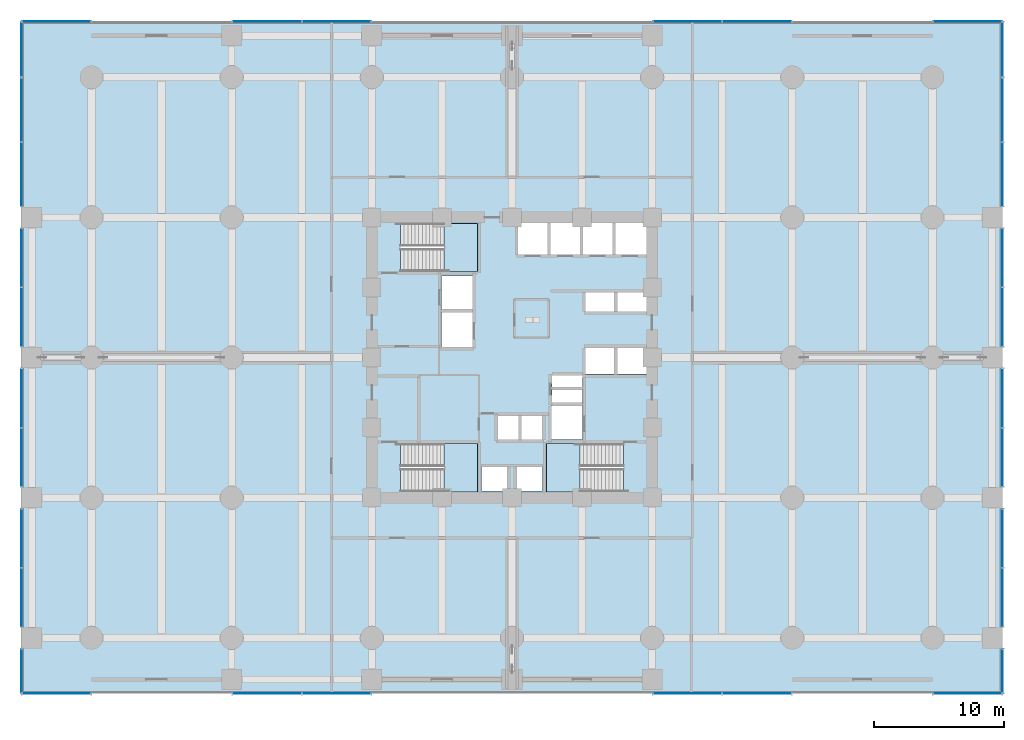
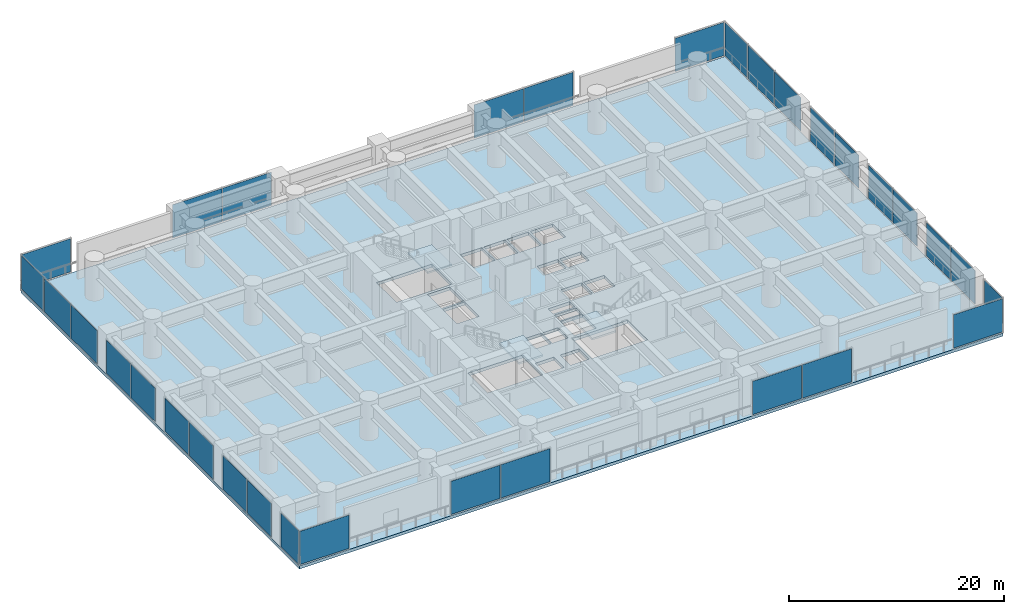
# One storey, part 26 of 37: 32 plates, 4 slabs, 23 elements without a shape of their own.
"""IFC4 building model written with IfcOpenShell, lengths in metres."""

import ifcopenshell
import ifcopenshell.guid

model = None  # the IFC model being written
_history = None  # IfcOwnerHistory: only IFC2X3 demands one
_inside = {}  # id of a spatial element -> (the spatial element, [elements in it])
_under = {}  # id of a project, library or spatial element -> (it, [spatial elements below it])
_declared = {}  # id of a project -> (the project, [libraries it declares])
_typed = {}  # id of a type object -> (the type object, [elements of that type])
_made_of = {}  # id of a material, layer set ... -> (it, [elements and type objects made of it])


def new_model(schema):
    """Start an empty IFC model of exactly this schema.

    Asked for "IFC4X3", IfcOpenShell would pick the latest addendum, in which some entities
    have other attributes; the version numbers below select the first issue.
    IFC2X3 requires an IfcOwnerHistory on every rooted entity: one is made here for all.
    """
    global model, _history
    if schema == "IFC4X3":
        model = ifcopenshell.file(schema_version=(4, 3, 0, 0))
    else:
        model = ifcopenshell.file(schema=schema)
    _inside.clear()
    _under.clear()
    _declared.clear()
    _typed.clear()
    _made_of.clear()
    _history = None
    if model.schema == "IFC2X3":
        org = make("IfcOrganization", Name="unknown")
        user = make(
            "IfcPersonAndOrganization",
            ThePerson=make("IfcPerson", FamilyName="unknown"),
            TheOrganization=org,
        )
        app = make(
            "IfcApplication",
            ApplicationDeveloper=org,
            Version="unknown",
            ApplicationFullName="unknown",
            ApplicationIdentifier="unknown",
        )
        _history = make(
            "IfcOwnerHistory",
            OwningUser=user,
            OwningApplication=app,
            ChangeAction="ADDED",
            CreationDate=0,
        )
    return model


def make(cls, **values):
    """One entity of the class cls with the attributes given. An attribute that is None is left unset."""
    return model.create_entity(
        cls, **{name: value for name, value in values.items() if value is not None}
    )


def rooted(cls, **values):
    """An entity with a GlobalId (a new one), such as an element, a storey or a relation."""
    return make(cls, GlobalId=ifcopenshell.guid.new(), OwnerHistory=_history, **values)


def si_unit(unit_type, name, prefix=None):
    """IfcSIUnit, for example si_unit("LENGTHUNIT", "METRE", prefix="MILLI")."""
    return make("IfcSIUnit", UnitType=unit_type, Prefix=prefix, Name=name)


def assignment(units):
    """IfcUnitAssignment: the units of a project."""
    return None if units is None else make("IfcUnitAssignment", Units=units)


def point(xyz):
    """IfcCartesianPoint."""
    return None if xyz is None else make("IfcCartesianPoint", Coordinates=xyz)


def direction(xyz):
    """IfcDirection."""
    return None if xyz is None else make("IfcDirection", DirectionRatios=xyz)


def frame(location, z_axis=None, x_axis=None):
    """IfcAxis2Placement3D, a coordinate frame: its origin and axes. An axis left out is left unset."""
    return make(
        "IfcAxis2Placement3D",
        Location=point(location),
        Axis=direction(z_axis),
        RefDirection=direction(x_axis),
    )


def frame_2d(location, x_axis=None):
    """IfcAxis2Placement2D, a coordinate frame in the plane: its origin and x axis."""
    return make(
        "IfcAxis2Placement2D", Location=point(location), RefDirection=direction(x_axis)
    )


def origin():
    """The frame at (0, 0, 0) with its axes left unset."""
    return frame((0.0, 0.0, 0.0))


def place(relative_to, where):
    """IfcLocalPlacement: puts the frame where relative to a parent placement (None: the world)."""
    return make(
        "IfcLocalPlacement", PlacementRelTo=relative_to, RelativePlacement=where
    )


def context(
    kind, dimensions, precision=None, world=None, true_north=None, identifier=None
):
    """IfcGeometricRepresentationContext, for example the 3D "Model" context."""
    return make(
        "IfcGeometricRepresentationContext",
        ContextIdentifier=identifier,
        ContextType=kind,
        CoordinateSpaceDimension=dimensions,
        Precision=precision,
        WorldCoordinateSystem=world,
        TrueNorth=true_north,
    )


def subcontext(parent, identifier, kind, view, scale=None):
    """IfcGeometricRepresentationSubContext, for example "Body" below "Model"."""
    return make(
        "IfcGeometricRepresentationSubContext",
        ContextIdentifier=identifier,
        ContextType=kind,
        ParentContext=parent,
        TargetScale=scale,
        TargetView=view,
    )


def project(units=None, contexts=None):
    """IfcProject with its units and contexts."""
    return rooted(
        "IfcProject",
        Name="project",
        RepresentationContexts=contexts,
        UnitsInContext=assignment(units),
    )


def spatial(cls, under=None, at=None, **own):
    """A site, building, storey or space (cls), placed at a placement, below another one or the project."""
    s = rooted(cls, ObjectPlacement=at, **own)
    if under is not None:
        _under.setdefault(under.id(), (under, []))[1].append(s)
    return s


def polyline(points):
    """IfcPolyline through the points."""
    return make("IfcPolyline", Points=[point(p) for p in points])


def profile(cls, at=None, kind="AREA", **sizes):
    """A parametric profile (cls). Its sizes go by their IFC names, for example OverallWidth=200.0."""
    return make(cls, ProfileType=kind, Position=at, **sizes)


def rectangle(**sizes):
    """IfcRectangleProfileDef."""
    return profile("IfcRectangleProfileDef", **sizes)


def outline(outer, holes=None, kind="AREA"):
    """IfcArbitraryClosedProfileDef: a profile drawn as a closed curve; with holes, ...WithVoids."""
    if holes is None:
        return make("IfcArbitraryClosedProfileDef", ProfileType=kind, OuterCurve=outer)
    return make(
        "IfcArbitraryProfileDefWithVoids",
        ProfileType=kind,
        OuterCurve=outer,
        InnerCurves=holes,
    )


def extrude(swept, where, along, depth):
    """IfcExtrudedAreaSolid: the profile swept, set in the frame where, extruded along a direction by depth."""
    return make(
        "IfcExtrudedAreaSolid",
        SweptArea=swept,
        Position=where,
        ExtrudedDirection=direction(along),
        Depth=depth,
    )


def shape(context_of_items, identifier, shape_type, items):
    """IfcShapeRepresentation: the items that make up one representation, for example the "Body"."""
    return make(
        "IfcShapeRepresentation",
        ContextOfItems=context_of_items,
        RepresentationIdentifier=identifier,
        RepresentationType=shape_type,
        Items=items,
    )


def material(Name=None, Category=None):
    """IfcMaterial."""
    return make("IfcMaterial", Name=Name, Category=Category)


def layer(
    of_material, thickness, ventilated=None, Name=None, Category=None, Priority=None
):
    """IfcMaterialLayer: one layer of a wall or slab, of a material (None: an air gap)."""
    return make(
        "IfcMaterialLayer",
        Material=of_material,
        LayerThickness=thickness,
        IsVentilated=ventilated,
        Name=Name,
        Category=Category,
        Priority=Priority,
    )


def layer_set(layers, Name=None):
    """IfcMaterialLayerSet."""
    return make("IfcMaterialLayerSet", MaterialLayers=layers, LayerSetName=Name)


def made_of(thing, what):
    """Note that an element or type object is made of a material, layer set ...; save() writes the relation."""
    if what is not None:
        _made_of.setdefault(what.id(), (what, []))[1].append(thing)
    return thing


def type_object(cls, material=None, **own):
    """A type object (cls), such as IfcWallType, which elements share."""
    return made_of(rooted(cls, **own), material)


def element(
    cls,
    number,
    at=None,
    inside=None,
    cuts=None,
    type_object=None,
    material=None,
    context=None,
    identifier="Body",
    shape_type=None,
    held_by="IfcProductDefinitionShape",
    body=None,
    shapes=None,
    **own,
):
    """One element of the class cls, such as IfcWall. Its Tag is "e" and its number.

    at: its placement. inside: the storey or other place that contains it. cuts: it is an
    opening in that element (IfcRelVoidsElement). A single representation is given by context,
    identifier, shape_type and body (its items); several are given by shapes. held_by: the class
    of the entity that holds the representations. save() writes the other relations.
    """
    e = rooted(cls, Tag="e%d" % number, ObjectPlacement=at, **own)
    if body is not None:
        shapes = [shape(context, identifier, shape_type, body)]
    if shapes is not None:
        e.Representation = make(held_by, Representations=shapes)
    if inside is not None:
        _inside.setdefault(inside.id(), (inside, []))[1].append(e)
    if cuts is not None:
        rooted(
            "IfcRelVoidsElement", RelatingBuildingElement=cuts, RelatedOpeningElement=e
        )
    if type_object is not None:
        _typed.setdefault(type_object.id(), (type_object, []))[1].append(e)
    return made_of(e, material)


def aggregate(whole, parts):
    """IfcRelAggregates: a whole, such as a stair, and the parts it consists of."""
    return rooted("IfcRelAggregates", RelatingObject=whole, RelatedObjects=parts)


def save(model, path):
    """Write the relations noted so far, then the file.

    IfcRelAggregates (storeys below a building ...), IfcRelContainedInSpatialStructure (elements
    in a storey), IfcRelDefinesByType, IfcRelAssociatesMaterial and IfcRelDeclares: one each for
    every whole, place, type object, material and project.
    """
    for whole, parts in _under.values():
        aggregate(whole, parts)
    for where, things in _inside.values():
        rooted(
            "IfcRelContainedInSpatialStructure",
            RelatedElements=things,
            RelatingStructure=where,
        )
    for kind, things in _typed.values():
        rooted("IfcRelDefinesByType", RelatedObjects=things, RelatingType=kind)
    for what, things in _made_of.values():
        rooted("IfcRelAssociatesMaterial", RelatedObjects=things, RelatingMaterial=what)
    for by, libraries in _declared.values():
        rooted("IfcRelDeclares", RelatingContext=by, RelatedDefinitions=libraries)
    model.write(path)


model = new_model("IFC4")

# Units and contexts
model_context = context("Model", 3, precision=1e-05, world=origin(), true_north=direction((0.0, 1.0)))
body_context = subcontext(model_context, "Body", "Model", "MODEL_VIEW")
ifc_project = project(units=[si_unit("LENGTHUNIT", "METRE"), si_unit("AREAUNIT", "SQUARE_METRE"), si_unit("VOLUMEUNIT", "CUBIC_METRE"), si_unit("PLANEANGLEUNIT", "RADIAN"), si_unit("MASSUNIT", "GRAM", prefix="KILO")], contexts=[model_context])

# Site, building, storey
site_placement = place(None, origin())
site = spatial("IfcSite", under=ifc_project, at=site_placement, CompositionType="ELEMENT")
building_placement = place(site_placement, origin())
building = spatial("IfcBuilding", under=site, at=building_placement, Name="Surkhivell Harbour Commons", CompositionType="ELEMENT")
storey_placement = place(building_placement, frame((0.0, 0.0, 18.0)))
storey = spatial("IfcBuildingStorey", under=building, at=storey_placement, Name="L04", CompositionType="ELEMENT", Elevation=18.0)

# Curtain wall, plate
ifc_material_1 = material(Name="Anodised pale-metal aluminium and insulated glazing", Category="aluminium")
ifc_layer_1 = layer(ifc_material_1, 0.239990234375)
ifc_layer_set_1 = layer_set([ifc_layer_1], Name="Anodised pale-metal aluminium and insulated glazing")
curtain_wall_type = type_object("IfcCurtainWallType", Name="CW-SYS-POD", PredefinedType="NOTDEFINED", material=ifc_layer_set_1)
curtain_wall_1_placement = place(storey_placement, origin())
curtain_wall_1 = element("IfcCurtainWall", 1, at=curtain_wall_1_placement, inside=storey, type_object=curtain_wall_type, Name="L04 Curtain Wall CW-L04-N1", PredefinedType="NOTDEFINED")
ifc_material_2 = material(Name="Double-silver low-E laminated vision glass", Category="glass")
ifc_layer_2 = layer(ifc_material_2, 0.031982421875)
ifc_layer_set_2 = layer_set([ifc_layer_2], Name="Double-silver low-E laminated vision glass")
plate_type = type_object("IfcPlateType", Name="CWP-GLZ-32", PredefinedType="CURTAIN_PANEL", material=ifc_layer_set_2)
plate_1_placement = place(storey_placement, frame((-37.72509765625, 25.89990234375, 0.14990234375), z_axis=(0.0, 0.0, 1.0), x_axis=(1.0, 0.0, 0.0)))
plate_1 = element("IfcPlate", 2, at=plate_1_placement, type_object=plate_type, Name="CW-POD panel 1.1", PredefinedType="CURTAIN_PANEL", context=body_context, shape_type="SweptSolid", body=[
    extrude(rectangle(XDim=5.25, YDim=0.031982421875, at=frame_2d((2.625, 0.0))), origin(), (0.0, 0.0, 1.0), 3.780029296875),
])
aggregate(curtain_wall_1, [plate_1])

curtain_wall_2_placement = place(storey_placement, origin())
curtain_wall_2 = element("IfcCurtainWall", 3, at=curtain_wall_2_placement, inside=storey, type_object=curtain_wall_type, Name="L04 Curtain Wall CW-L04-S1", PredefinedType="NOTDEFINED")
plate_2_placement = place(storey_placement, frame((-32.47509765625, -25.89990234375, 0.14990234375), z_axis=(0.0, 0.0, 1.0), x_axis=(-1.0, 0.0, 0.0)))
plate_2 = element("IfcPlate", 4, at=plate_2_placement, type_object=plate_type, Name="CW-POD panel 1.1", PredefinedType="CURTAIN_PANEL", context=body_context, shape_type="SweptSolid", body=[
    extrude(rectangle(XDim=5.25, YDim=0.031982421875, at=frame_2d((2.625, 0.0))), origin(), (0.0, 0.0, 1.0), 3.780029296875),
])
aggregate(curtain_wall_2, [plate_2])

# Curtain wall, plates
curtain_wall_3_placement = place(storey_placement, origin())
curtain_wall_3 = element("IfcCurtainWall", 5, at=curtain_wall_3_placement, inside=storey, type_object=curtain_wall_type, Name="L04 Curtain Wall CW-L04-N3", PredefinedType="NOTDEFINED")
plate_3_placement = place(storey_placement, frame((-21.52490234375, 25.89990234375, 0.14990234375), z_axis=(0.0, 0.0, 1.0), x_axis=(1.0, 0.0, 0.0)))
plate_3 = element("IfcPlate", 6, at=plate_3_placement, type_object=plate_type, Name="CW-POD panel 1.1", PredefinedType="CURTAIN_PANEL", context=body_context, shape_type="SweptSolid", body=[
    extrude(rectangle(XDim=5.287353515625, YDim=0.031982421875, at=frame_2d((2.6435546875, 0.0))), origin(), (0.0, 0.0, 1.0), 3.780029296875),
])
plate_4_placement = place(storey_placement, frame((-16.16259765625, 25.89990234375, 0.14990234375), z_axis=(0.0, 0.0, 1.0), x_axis=(1.0, 0.0, 0.0)))
plate_4 = element("IfcPlate", 7, at=plate_4_placement, type_object=plate_type, Name="CW-POD panel 2.1", PredefinedType="CURTAIN_PANEL", context=body_context, shape_type="SweptSolid", body=[
    extrude(rectangle(XDim=5.28759765625, YDim=0.031982421875, at=frame_2d((2.643798828125, 0.0))), origin(), (0.0, 0.0, 1.0), 3.780029296875),
])
aggregate(curtain_wall_3, [plate_3, plate_4])

curtain_wall_4_placement = place(storey_placement, origin())
curtain_wall_4 = element("IfcCurtainWall", 8, at=curtain_wall_4_placement, inside=storey, type_object=curtain_wall_type, Name="L04 Curtain Wall CW-L04-S3", PredefinedType="NOTDEFINED")
plate_5_placement = place(storey_placement, frame((-10.875, -25.89990234375, 0.14990234375), z_axis=(0.0, 0.0, 1.0), x_axis=(-1.0, 0.0, 0.0)))
plate_5 = element("IfcPlate", 9, at=plate_5_placement, type_object=plate_type, Name="CW-POD panel 1.1", PredefinedType="CURTAIN_PANEL", context=body_context, shape_type="SweptSolid", body=[
    extrude(rectangle(XDim=5.28759765625, YDim=0.031982421875, at=frame_2d((2.643798828125, 0.0))), origin(), (0.0, 0.0, 1.0), 3.780029296875),
])
plate_6_placement = place(storey_placement, frame((-16.237548828125, -25.89990234375, 0.14990234375), z_axis=(0.0, 0.0, 1.0), x_axis=(-1.0, 0.0, 0.0)))
plate_6 = element("IfcPlate", 10, at=plate_6_placement, type_object=plate_type, Name="CW-POD panel 2.1", PredefinedType="CURTAIN_PANEL", context=body_context, shape_type="SweptSolid", body=[
    extrude(rectangle(XDim=5.287353515625, YDim=0.031982421875, at=frame_2d((2.6435546875, 0.0))), origin(), (0.0, 0.0, 1.0), 3.780029296875),
])
aggregate(curtain_wall_4, [plate_5, plate_6])

curtain_wall_5_placement = place(storey_placement, origin())
curtain_wall_5 = element("IfcCurtainWall", 11, at=curtain_wall_5_placement, inside=storey, type_object=curtain_wall_type, Name="L04 Curtain Wall CW-L04-N6", PredefinedType="NOTDEFINED")
plate_7_placement = place(storey_placement, frame((10.875, 25.89990234375, 0.14990234375), z_axis=(0.0, 0.0, 1.0), x_axis=(1.0, 0.0, 0.0)))
plate_7 = element("IfcPlate", 12, at=plate_7_placement, type_object=plate_type, Name="CW-POD panel 1.1", PredefinedType="CURTAIN_PANEL", context=body_context, shape_type="SweptSolid", body=[
    extrude(rectangle(XDim=5.28759765625, YDim=0.031982421875, at=frame_2d((2.643798828125, 0.0))), origin(), (0.0, 0.0, 1.0), 3.780029296875),
])
plate_8_placement = place(storey_placement, frame((16.237548828125, 25.89990234375, 0.14990234375), z_axis=(0.0, 0.0, 1.0), x_axis=(1.0, 0.0, 0.0)))
plate_8 = element("IfcPlate", 13, at=plate_8_placement, type_object=plate_type, Name="CW-POD panel 2.1", PredefinedType="CURTAIN_PANEL", context=body_context, shape_type="SweptSolid", body=[
    extrude(rectangle(XDim=5.287353515625, YDim=0.031982421875, at=frame_2d((2.6435546875, 0.0))), origin(), (0.0, 0.0, 1.0), 3.780029296875),
])
aggregate(curtain_wall_5, [plate_7, plate_8])

curtain_wall_6_placement = place(storey_placement, origin())
curtain_wall_6 = element("IfcCurtainWall", 14, at=curtain_wall_6_placement, inside=storey, type_object=curtain_wall_type, Name="L04 Curtain Wall CW-L04-S6", PredefinedType="NOTDEFINED")
plate_9_placement = place(storey_placement, frame((21.52490234375, -25.89990234375, 0.14990234375), z_axis=(0.0, 0.0, 1.0), x_axis=(-1.0, 0.0, 0.0)))
plate_9 = element("IfcPlate", 15, at=plate_9_placement, type_object=plate_type, Name="CW-POD panel 1.1", PredefinedType="CURTAIN_PANEL", context=body_context, shape_type="SweptSolid", body=[
    extrude(rectangle(XDim=5.287353515625, YDim=0.031982421875, at=frame_2d((2.6435546875, 0.0))), origin(), (0.0, 0.0, 1.0), 3.780029296875),
])
plate_10_placement = place(storey_placement, frame((16.16259765625, -25.89990234375, 0.14990234375), z_axis=(0.0, 0.0, 1.0), x_axis=(-1.0, 0.0, 0.0)))
plate_10 = element("IfcPlate", 16, at=plate_10_placement, type_object=plate_type, Name="CW-POD panel 2.1", PredefinedType="CURTAIN_PANEL", context=body_context, shape_type="SweptSolid", body=[
    extrude(rectangle(XDim=5.28759765625, YDim=0.031982421875, at=frame_2d((2.643798828125, 0.0))), origin(), (0.0, 0.0, 1.0), 3.780029296875),
])
aggregate(curtain_wall_6, [plate_9, plate_10])

# Curtain wall, plate
curtain_wall_7_placement = place(storey_placement, origin())
curtain_wall_7 = element("IfcCurtainWall", 17, at=curtain_wall_7_placement, inside=storey, type_object=curtain_wall_type, Name="L04 Curtain Wall CW-L04-N8", PredefinedType="NOTDEFINED")
plate_11_placement = place(storey_placement, frame((32.47509765625, 25.89990234375, 0.14990234375), z_axis=(0.0, 0.0, 1.0), x_axis=(1.0, 0.0, 0.0)))
plate_11 = element("IfcPlate", 18, at=plate_11_placement, type_object=plate_type, Name="CW-POD panel 1.1", PredefinedType="CURTAIN_PANEL", context=body_context, shape_type="SweptSolid", body=[
    extrude(rectangle(XDim=5.25, YDim=0.031982421875, at=frame_2d((2.625, 0.0))), origin(), (0.0, 0.0, 1.0), 3.780029296875),
])
aggregate(curtain_wall_7, [plate_11])

curtain_wall_8_placement = place(storey_placement, origin())
curtain_wall_8 = element("IfcCurtainWall", 19, at=curtain_wall_8_placement, inside=storey, type_object=curtain_wall_type, Name="L04 Curtain Wall CW-L04-S8", PredefinedType="NOTDEFINED")
plate_12_placement = place(storey_placement, frame((37.72509765625, -25.89990234375, 0.14990234375), z_axis=(0.0, 0.0, 1.0), x_axis=(-1.0, 0.0, 0.0)))
plate_12 = element("IfcPlate", 20, at=plate_12_placement, type_object=plate_type, Name="CW-POD panel 1.1", PredefinedType="CURTAIN_PANEL", context=body_context, shape_type="SweptSolid", body=[
    extrude(rectangle(XDim=5.25, YDim=0.031982421875, at=frame_2d((2.625, 0.0))), origin(), (0.0, 0.0, 1.0), 3.780029296875),
])
aggregate(curtain_wall_8, [plate_12])

curtain_wall_9_placement = place(storey_placement, origin())
curtain_wall_9 = element("IfcCurtainWall", 21, at=curtain_wall_9_placement, inside=storey, type_object=curtain_wall_type, Name="L04 Curtain Wall CW-L04-W1", PredefinedType="NOTDEFINED")
plate_13_placement = place(storey_placement, frame((-37.800048828125, -25.824951171875, 0.14990234375), z_axis=(0.0, 0.0, 1.0), x_axis=(0.0, 1.0, 0.0)))
plate_13 = element("IfcPlate", 22, at=plate_13_placement, type_object=plate_type, Name="CW-POD panel 1.1", PredefinedType="CURTAIN_PANEL", context=body_context, shape_type="SweptSolid", body=[
    extrude(rectangle(XDim=3.347900390625, YDim=0.031982421875, at=frame_2d((1.673828125, 0.0))), origin(), (0.0, 0.0, 1.0), 3.780029296875),
])
aggregate(curtain_wall_9, [plate_13])

curtain_wall_10_placement = place(storey_placement, origin())
curtain_wall_10 = element("IfcCurtainWall", 23, at=curtain_wall_10_placement, inside=storey, type_object=curtain_wall_type, Name="L04 Curtain Wall CW-L04-E1", PredefinedType="NOTDEFINED")
plate_14_placement = place(storey_placement, frame((37.800048828125, -22.47705078125, 0.14990234375), z_axis=(0.0, 0.0, 1.0), x_axis=(0.0, -1.0, 0.0)))
plate_14 = element("IfcPlate", 24, at=plate_14_placement, type_object=plate_type, Name="CW-POD panel 1.1", PredefinedType="CURTAIN_PANEL", context=body_context, shape_type="SweptSolid", body=[
    extrude(rectangle(XDim=3.347900390625, YDim=0.031982421875, at=frame_2d((1.673828125, 0.0))), origin(), (0.0, 0.0, 1.0), 3.780029296875),
])
aggregate(curtain_wall_10, [plate_14])

# Curtain wall, plates
curtain_wall_11_placement = place(storey_placement, origin())
curtain_wall_11 = element("IfcCurtainWall", 25, at=curtain_wall_11_placement, inside=storey, type_object=curtain_wall_type, Name="L04 Curtain Wall CW-L04-W2", PredefinedType="NOTDEFINED")
plate_15_placement = place(storey_placement, frame((-37.800048828125, -20.722900390625, 0.14990234375), z_axis=(0.0, 0.0, 1.0), x_axis=(0.0, 1.0, 0.0)))
plate_15 = element("IfcPlate", 26, at=plate_15_placement, type_object=plate_type, Name="CW-POD panel 1.1", PredefinedType="CURTAIN_PANEL", context=body_context, shape_type="SweptSolid", body=[
    extrude(rectangle(XDim=4.4853515625, YDim=0.031982421875, at=frame_2d((2.24267578125, 0.0))), origin(), (0.0, 0.0, 1.0), 3.780029296875),
])
plate_16_placement = place(storey_placement, frame((-37.800048828125, -16.16259765625, 0.14990234375), z_axis=(0.0, 0.0, 1.0), x_axis=(0.0, 1.0, 0.0)))
plate_16 = element("IfcPlate", 27, at=plate_16_placement, type_object=plate_type, Name="CW-POD panel 2.1", PredefinedType="CURTAIN_PANEL", context=body_context, shape_type="SweptSolid", body=[
    extrude(rectangle(XDim=4.485595703125, YDim=0.031982421875, at=frame_2d((2.24267578125, 0.0))), origin(), (0.0, 0.0, 1.0), 3.780029296875),
])
aggregate(curtain_wall_11, [plate_15, plate_16])

curtain_wall_12_placement = place(storey_placement, origin())
curtain_wall_12 = element("IfcCurtainWall", 28, at=curtain_wall_12_placement, inside=storey, type_object=curtain_wall_type, Name="L04 Curtain Wall CW-L04-E2", PredefinedType="NOTDEFINED")
plate_17_placement = place(storey_placement, frame((37.800048828125, -11.677001953125, 0.14990234375), z_axis=(0.0, 0.0, 1.0), x_axis=(0.0, -1.0, 0.0)))
plate_17 = element("IfcPlate", 29, at=plate_17_placement, type_object=plate_type, Name="CW-POD panel 1.1", PredefinedType="CURTAIN_PANEL", context=body_context, shape_type="SweptSolid", body=[
    extrude(rectangle(XDim=4.485595703125, YDim=0.031982421875, at=frame_2d((2.24267578125, 0.0))), origin(), (0.0, 0.0, 1.0), 3.780029296875),
])
plate_18_placement = place(storey_placement, frame((37.800048828125, -16.237548828125, 0.14990234375), z_axis=(0.0, 0.0, 1.0), x_axis=(0.0, -1.0, 0.0)))
plate_18 = element("IfcPlate", 30, at=plate_18_placement, type_object=plate_type, Name="CW-POD panel 2.1", PredefinedType="CURTAIN_PANEL", context=body_context, shape_type="SweptSolid", body=[
    extrude(rectangle(XDim=4.4853515625, YDim=0.031982421875, at=frame_2d((2.24267578125, 0.0))), origin(), (0.0, 0.0, 1.0), 3.780029296875),
])
aggregate(curtain_wall_12, [plate_17, plate_18])

curtain_wall_13_placement = place(storey_placement, origin())
curtain_wall_13 = element("IfcCurtainWall", 31, at=curtain_wall_13_placement, inside=storey, type_object=curtain_wall_type, Name="L04 Curtain Wall CW-L04-W3", PredefinedType="NOTDEFINED")
plate_19_placement = place(storey_placement, frame((-37.800048828125, -9.923095703125, 0.14990234375), z_axis=(0.0, 0.0, 1.0), x_axis=(0.0, 1.0, 0.0)))
plate_19 = element("IfcPlate", 32, at=plate_19_placement, type_object=plate_type, Name="CW-POD panel 1.1", PredefinedType="CURTAIN_PANEL", context=body_context, shape_type="SweptSolid", body=[
    extrude(rectangle(XDim=4.485595703125, YDim=0.031982421875, at=frame_2d((2.24267578125, 0.0))), origin(), (0.0, 0.0, 1.0), 3.780029296875),
])
plate_20_placement = place(storey_placement, frame((-37.800048828125, -5.362548828125, 0.14990234375), z_axis=(0.0, 0.0, 1.0), x_axis=(0.0, 1.0, 0.0)))
plate_20 = element("IfcPlate", 33, at=plate_20_placement, type_object=plate_type, Name="CW-POD panel 2.1", PredefinedType="CURTAIN_PANEL", context=body_context, shape_type="SweptSolid", body=[
    extrude(rectangle(XDim=4.485595703125, YDim=0.031982421875, at=frame_2d((2.24267578125, 0.0))), origin(), (0.0, 0.0, 1.0), 3.780029296875),
])
aggregate(curtain_wall_13, [plate_19, plate_20])

curtain_wall_14_placement = place(storey_placement, origin())
curtain_wall_14 = element("IfcCurtainWall", 34, at=curtain_wall_14_placement, inside=storey, type_object=curtain_wall_type, Name="L04 Curtain Wall CW-L04-E3", PredefinedType="NOTDEFINED")
plate_21_placement = place(storey_placement, frame((37.800048828125, -0.876953125, 0.14990234375), z_axis=(0.0, 0.0, 1.0), x_axis=(0.0, -1.0, 0.0)))
plate_21 = element("IfcPlate", 35, at=plate_21_placement, type_object=plate_type, Name="CW-POD panel 1.1", PredefinedType="CURTAIN_PANEL", context=body_context, shape_type="SweptSolid", body=[
    extrude(rectangle(XDim=4.485595703125, YDim=0.031982421875, at=frame_2d((2.24267578125, 0.0))), origin(), (0.0, 0.0, 1.0), 3.780029296875),
])
plate_22_placement = place(storey_placement, frame((37.800048828125, -5.4375, 0.14990234375), z_axis=(0.0, 0.0, 1.0), x_axis=(0.0, -1.0, 0.0)))
plate_22 = element("IfcPlate", 36, at=plate_22_placement, type_object=plate_type, Name="CW-POD panel 2.1", PredefinedType="CURTAIN_PANEL", context=body_context, shape_type="SweptSolid", body=[
    extrude(rectangle(XDim=4.485595703125, YDim=0.031982421875, at=frame_2d((2.24267578125, 0.0))), origin(), (0.0, 0.0, 1.0), 3.780029296875),
])
aggregate(curtain_wall_14, [plate_21, plate_22])

curtain_wall_15_placement = place(storey_placement, origin())
curtain_wall_15 = element("IfcCurtainWall", 37, at=curtain_wall_15_placement, inside=storey, type_object=curtain_wall_type, Name="L04 Curtain Wall CW-L04-W4", PredefinedType="NOTDEFINED")
plate_23_placement = place(storey_placement, frame((-37.800048828125, 0.876953125, 0.14990234375), z_axis=(0.0, 0.0, 1.0), x_axis=(0.0, 1.0, 0.0)))
plate_23 = element("IfcPlate", 38, at=plate_23_placement, type_object=plate_type, Name="CW-POD panel 1.1", PredefinedType="CURTAIN_PANEL", context=body_context, shape_type="SweptSolid", body=[
    extrude(rectangle(XDim=4.485595703125, YDim=0.031982421875, at=frame_2d((2.24267578125, 0.0))), origin(), (0.0, 0.0, 1.0), 3.780029296875),
])
plate_24_placement = place(storey_placement, frame((-37.800048828125, 5.4375, 0.14990234375), z_axis=(0.0, 0.0, 1.0), x_axis=(0.0, 1.0, 0.0)))
plate_24 = element("IfcPlate", 39, at=plate_24_placement, type_object=plate_type, Name="CW-POD panel 2.1", PredefinedType="CURTAIN_PANEL", context=body_context, shape_type="SweptSolid", body=[
    extrude(rectangle(XDim=4.485595703125, YDim=0.031982421875, at=frame_2d((2.24267578125, 0.0))), origin(), (0.0, 0.0, 1.0), 3.780029296875),
])
aggregate(curtain_wall_15, [plate_23, plate_24])

curtain_wall_16_placement = place(storey_placement, origin())
curtain_wall_16 = element("IfcCurtainWall", 40, at=curtain_wall_16_placement, inside=storey, type_object=curtain_wall_type, Name="L04 Curtain Wall CW-L04-E4", PredefinedType="NOTDEFINED")
plate_25_placement = place(storey_placement, frame((37.800048828125, 9.923095703125, 0.14990234375), z_axis=(0.0, 0.0, 1.0), x_axis=(0.0, -1.0, 0.0)))
plate_25 = element("IfcPlate", 41, at=plate_25_placement, type_object=plate_type, Name="CW-POD panel 1.1", PredefinedType="CURTAIN_PANEL", context=body_context, shape_type="SweptSolid", body=[
    extrude(rectangle(XDim=4.485595703125, YDim=0.031982421875, at=frame_2d((2.24267578125, 0.0))), origin(), (0.0, 0.0, 1.0), 3.780029296875),
])
plate_26_placement = place(storey_placement, frame((37.800048828125, 5.362548828125, 0.14990234375), z_axis=(0.0, 0.0, 1.0), x_axis=(0.0, -1.0, 0.0)))
plate_26 = element("IfcPlate", 42, at=plate_26_placement, type_object=plate_type, Name="CW-POD panel 2.1", PredefinedType="CURTAIN_PANEL", context=body_context, shape_type="SweptSolid", body=[
    extrude(rectangle(XDim=4.485595703125, YDim=0.031982421875, at=frame_2d((2.24267578125, 0.0))), origin(), (0.0, 0.0, 1.0), 3.780029296875),
])
aggregate(curtain_wall_16, [plate_25, plate_26])

curtain_wall_17_placement = place(storey_placement, origin())
curtain_wall_17 = element("IfcCurtainWall", 43, at=curtain_wall_17_placement, inside=storey, type_object=curtain_wall_type, Name="L04 Curtain Wall CW-L04-W5", PredefinedType="NOTDEFINED")
plate_27_placement = place(storey_placement, frame((-37.800048828125, 11.677001953125, 0.14990234375), z_axis=(0.0, 0.0, 1.0), x_axis=(0.0, 1.0, 0.0)))
plate_27 = element("IfcPlate", 44, at=plate_27_placement, type_object=plate_type, Name="CW-POD panel 1.1", PredefinedType="CURTAIN_PANEL", context=body_context, shape_type="SweptSolid", body=[
    extrude(rectangle(XDim=4.886474609375, YDim=0.031982421875, at=frame_2d((2.443359375, 0.0))), origin(), (0.0, 0.0, 1.0), 3.780029296875),
])
plate_28_placement = place(storey_placement, frame((-37.800048828125, 16.638427734375, 0.14990234375), z_axis=(0.0, 0.0, 1.0), x_axis=(0.0, 1.0, 0.0)))
plate_28 = element("IfcPlate", 45, at=plate_28_placement, type_object=plate_type, Name="CW-POD panel 2.1", PredefinedType="CURTAIN_PANEL", context=body_context, shape_type="SweptSolid", body=[
    extrude(rectangle(XDim=4.886474609375, YDim=0.031982421875, at=frame_2d((2.443359375, 0.0))), origin(), (0.0, 0.0, 1.0), 3.780029296875),
])
aggregate(curtain_wall_17, [plate_27, plate_28])

curtain_wall_18_placement = place(storey_placement, origin())
curtain_wall_18 = element("IfcCurtainWall", 46, at=curtain_wall_18_placement, inside=storey, type_object=curtain_wall_type, Name="L04 Curtain Wall CW-L04-E5", PredefinedType="NOTDEFINED")
plate_29_placement = place(storey_placement, frame((37.800048828125, 21.52490234375, 0.14990234375), z_axis=(0.0, 0.0, 1.0), x_axis=(0.0, -1.0, 0.0)))
plate_29 = element("IfcPlate", 47, at=plate_29_placement, type_object=plate_type, Name="CW-POD panel 1.1", PredefinedType="CURTAIN_PANEL", context=body_context, shape_type="SweptSolid", body=[
    extrude(rectangle(XDim=4.886474609375, YDim=0.031982421875, at=frame_2d((2.443359375, 0.0))), origin(), (0.0, 0.0, 1.0), 3.780029296875),
])
plate_30_placement = place(storey_placement, frame((37.800048828125, 16.5634765625, 0.14990234375), z_axis=(0.0, 0.0, 1.0), x_axis=(0.0, -1.0, 0.0)))
plate_30 = element("IfcPlate", 48, at=plate_30_placement, type_object=plate_type, Name="CW-POD panel 2.1", PredefinedType="CURTAIN_PANEL", context=body_context, shape_type="SweptSolid", body=[
    extrude(rectangle(XDim=4.886474609375, YDim=0.031982421875, at=frame_2d((2.443359375, 0.0))), origin(), (0.0, 0.0, 1.0), 3.780029296875),
])
aggregate(curtain_wall_18, [plate_29, plate_30])

# Curtain wall, plate
curtain_wall_19_placement = place(storey_placement, origin())
curtain_wall_19 = element("IfcCurtainWall", 49, at=curtain_wall_19_placement, inside=storey, type_object=curtain_wall_type, Name="L04 Curtain Wall CW-L04-W6", PredefinedType="NOTDEFINED")
plate_31_placement = place(storey_placement, frame((-37.800048828125, 21.675048828125, 0.14990234375), z_axis=(0.0, 0.0, 1.0), x_axis=(0.0, 1.0, 0.0)))
plate_31 = element("IfcPlate", 50, at=plate_31_placement, type_object=plate_type, Name="CW-POD panel 1.1", PredefinedType="CURTAIN_PANEL", context=body_context, shape_type="SweptSolid", body=[
    extrude(rectangle(XDim=4.14990234375, YDim=0.031982421875, at=frame_2d((2.074951171875, 0.0))), origin(), (0.0, 0.0, 1.0), 3.780029296875),
])
aggregate(curtain_wall_19, [plate_31])

curtain_wall_20_placement = place(storey_placement, origin())
curtain_wall_20 = element("IfcCurtainWall", 51, at=curtain_wall_20_placement, inside=storey, type_object=curtain_wall_type, Name="L04 Curtain Wall CW-L04-E6", PredefinedType="NOTDEFINED")
plate_32_placement = place(storey_placement, frame((37.800048828125, 25.824951171875, 0.14990234375), z_axis=(0.0, 0.0, 1.0), x_axis=(0.0, -1.0, 0.0)))
plate_32 = element("IfcPlate", 52, at=plate_32_placement, type_object=plate_type, Name="CW-POD panel 1.1", PredefinedType="CURTAIN_PANEL", context=body_context, shape_type="SweptSolid", body=[
    extrude(rectangle(XDim=4.14990234375, YDim=0.031982421875, at=frame_2d((2.074951171875, 0.0))), origin(), (0.0, 0.0, 1.0), 3.780029296875),
])
aggregate(curtain_wall_20, [plate_32])

# Stair, slab
ifc_material_3 = material(Name="Precast concrete C45/55", Category="concrete")
stair_type = type_object("IfcStairType", Name="STR-DL-450", PredefinedType="HALF_TURN_STAIR", material=ifc_material_3)
stair_1_placement = place(storey_placement, origin())
stair_1 = element("IfcStair", 53, at=stair_1_placement, inside=storey, type_object=stair_type, Name="L04 Core Exit Stair ST1", PredefinedType="HALF_TURN_STAIR")
ifc_material_4 = material(Name="Reinforced concrete C45/55", Category="concrete")
ifc_layer_3 = layer(ifc_material_4, 0.199951171875)
ifc_layer_set_3 = layer_set([ifc_layer_3], Name="Reinforced concrete C45/55")
slab_type_1 = type_object("IfcSlabType", Name="SLB-ST-LND200", PredefinedType="LANDING", material=ifc_layer_set_3)
slab_1_placement = place(storey_placement, frame((0.0, 0.0, 2.050048828125)))
slab_1 = element("IfcSlab", 54, at=slab_1_placement, type_object=slab_type_1, Name="ST1 landing 1", PredefinedType="LANDING", context=body_context, shape_type="SweptSolid", body=[
    extrude(outline(polyline([(-5.22998046875, 6.639892578125), (-2.639892578125, 6.639892578125), (-2.639892578125, 10.340087890625), (-5.22998046875, 10.340087890625), (-5.22998046875, 6.639892578125)])), origin(), (0.0, 0.0, 1.0), 0.199951171875),
])
aggregate(stair_1, [slab_1])

stair_2_placement = place(storey_placement, origin())
stair_2 = element("IfcStair", 55, at=stair_2_placement, inside=storey, type_object=stair_type, Name="L04 Core Exit Stair ST2", PredefinedType="HALF_TURN_STAIR")
slab_2_placement = place(storey_placement, frame((0.0, 0.0, 2.050048828125)))
slab_2 = element("IfcSlab", 56, at=slab_2_placement, type_object=slab_type_1, Name="ST2 landing 1", PredefinedType="LANDING", context=body_context, shape_type="SweptSolid", body=[
    extrude(outline(polyline([(5.22998046875, -6.639892578125), (2.639892578125, -6.639892578125), (2.639892578125, -10.340087890625), (5.22998046875, -10.340087890625), (5.22998046875, -6.639892578125)])), origin(), (0.0, 0.0, 1.0), 0.199951171875),
])
aggregate(stair_2, [slab_2])

stair_3_placement = place(storey_placement, origin())
stair_3 = element("IfcStair", 57, at=stair_3_placement, inside=storey, type_object=stair_type, Name="L04 Core Exit Stair ST3", PredefinedType="HALF_TURN_STAIR")
slab_3_placement = place(storey_placement, frame((0.0, 0.0, 2.050048828125)))
slab_3 = element("IfcSlab", 58, at=slab_3_placement, type_object=slab_type_1, Name="ST3 landing 1", PredefinedType="LANDING", context=body_context, shape_type="SweptSolid", body=[
    extrude(outline(polyline([(-5.22998046875, -10.340087890625), (-2.639892578125, -10.340087890625), (-2.639892578125, -6.639892578125), (-5.22998046875, -6.639892578125), (-5.22998046875, -10.340087890625)])), origin(), (0.0, 0.0, 1.0), 0.199951171875),
])
aggregate(stair_3, [slab_3])

# Slab
ifc_material_5 = material(Name="Concrete C60/75", Category="concrete")
ifc_layer_4 = layer(ifc_material_5, 0.35009765625)
ifc_layer_set_4 = layer_set([ifc_layer_4], Name="Concrete C60/75")
slab_type_2 = type_object("IfcSlabType", Name="SLB-TRF-350", PredefinedType="FLOOR", material=ifc_layer_set_4)
slab_4_placement = place(storey_placement, frame((0.0, 0.0, -0.35009765625)))
element("IfcSlab", 59, at=slab_4_placement, inside=storey, type_object=slab_type_2, Name="L04 Structural Floor Slab", PredefinedType="FLOOR", context=body_context, shape_type="SweptSolid", body=[
    extrude(outline(polyline([(-37.800048828125, -25.89990234375), (37.800048828125, -25.89990234375), (37.800048828125, 25.89990234375), (-37.800048828125, 25.89990234375), (-37.800048828125, -25.89990234375)]), holes=[polyline([(-8.590087890625, 6.639892578125), (-2.639892578125, 6.639892578125), (-2.639892578125, 10.340087890625), (-8.590087890625, 10.340087890625), (-8.590087890625, 6.639892578125)]), polyline([(8.590087890625, -6.639892578125), (2.639892578125, -6.639892578125), (2.639892578125, -10.340087890625), (8.590087890625, -10.340087890625), (8.590087890625, -6.639892578125)]), polyline([(-8.590087890625, -10.340087890625), (-2.639892578125, -10.340087890625), (-2.639892578125, -6.639892578125), (-8.590087890625, -6.639892578125), (-8.590087890625, -10.340087890625)]), polyline([(0.449951171875, 7.949951171875), (2.75, 7.949951171875), (2.75, 10.35009765625), (0.449951171875, 10.35009765625), (0.449951171875, 7.949951171875)]), polyline([(2.949951171875, 7.949951171875), (5.25, 7.949951171875), (5.25, 10.35009765625), (2.949951171875, 10.35009765625), (2.949951171875, 7.949951171875)]), polyline([(5.449951171875, 7.949951171875), (7.75, 7.949951171875), (7.75, 10.35009765625), (5.449951171875, 10.35009765625), (5.449951171875, 7.949951171875)]), polyline([(7.949951171875, 7.949951171875), (10.35009765625, 7.949951171875), (10.35009765625, 10.35009765625), (7.949951171875, 10.35009765625), (7.949951171875, 7.949951171875)]), polyline([(5.64990234375, 3.550048828125), (7.89990234375, 3.550048828125), (7.89990234375, 5.14990234375), (5.64990234375, 5.14990234375), (5.64990234375, 3.550048828125)]), polyline([(8.10009765625, 3.550048828125), (10.35009765625, 3.550048828125), (10.35009765625, 5.14990234375), (8.10009765625, 5.14990234375), (8.10009765625, 3.550048828125)]), polyline([(5.64990234375, -1.25), (7.89990234375, -1.25), (7.89990234375, 0.75), (5.64990234375, 0.75), (5.64990234375, -1.25)]), polyline([(8.10009765625, -1.25), (10.35009765625, -1.25), (10.35009765625, 0.75), (8.10009765625, 0.75), (8.10009765625, -1.25)]), polyline([(-1.14990234375, -6.35009765625), (0.550048828125, -6.35009765625), (0.550048828125, -4.449951171875), (-1.14990234375, -4.449951171875), (-1.14990234375, -6.35009765625)]), polyline([(0.679931640625, -6.35009765625), (2.3798828125, -6.35009765625), (2.3798828125, -4.449951171875), (0.679931640625, -4.449951171875), (0.679931640625, -6.35009765625)]), polyline([(-2.35009765625, -10.300048828125), (-0.35009765625, -10.300048828125), (-0.35009765625, -8.39990234375), (-2.35009765625, -8.39990234375), (-2.35009765625, -10.300048828125)]), polyline([(0.35009765625, -10.300048828125), (2.35009765625, -10.300048828125), (2.35009765625, -8.39990234375), (0.35009765625, -8.39990234375), (0.35009765625, -10.300048828125)]), polyline([(-5.449951171875, 3.699951171875), (-3.050048828125, 3.699951171875), (-3.050048828125, 6.300048828125), (-5.449951171875, 6.300048828125), (-5.449951171875, 3.699951171875)]), polyline([(3.050048828125, -6.300048828125), (5.449951171875, -6.300048828125), (5.449951171875, -3.699951171875), (3.050048828125, -3.699951171875), (3.050048828125, -6.300048828125)]), polyline([(-5.449951171875, 0.800048828125), (-3.050048828125, 0.800048828125), (-3.050048828125, 3.5), (-5.449951171875, 3.5), (-5.449951171875, 0.800048828125)]), polyline([(3.10009765625, -3.550048828125), (5.449951171875, -3.550048828125), (5.449951171875, -2.47998046875), (3.10009765625, -2.47998046875), (3.10009765625, -3.550048828125)]), polyline([(3.10009765625, -2.280029296875), (5.449951171875, -2.280029296875), (5.449951171875, -1.35009765625), (3.10009765625, -1.35009765625), (3.10009765625, -2.280029296875)])]), origin(), (0.0, 0.0, 1.0), 0.35009765625),
])

save(model, "model.ifc")
